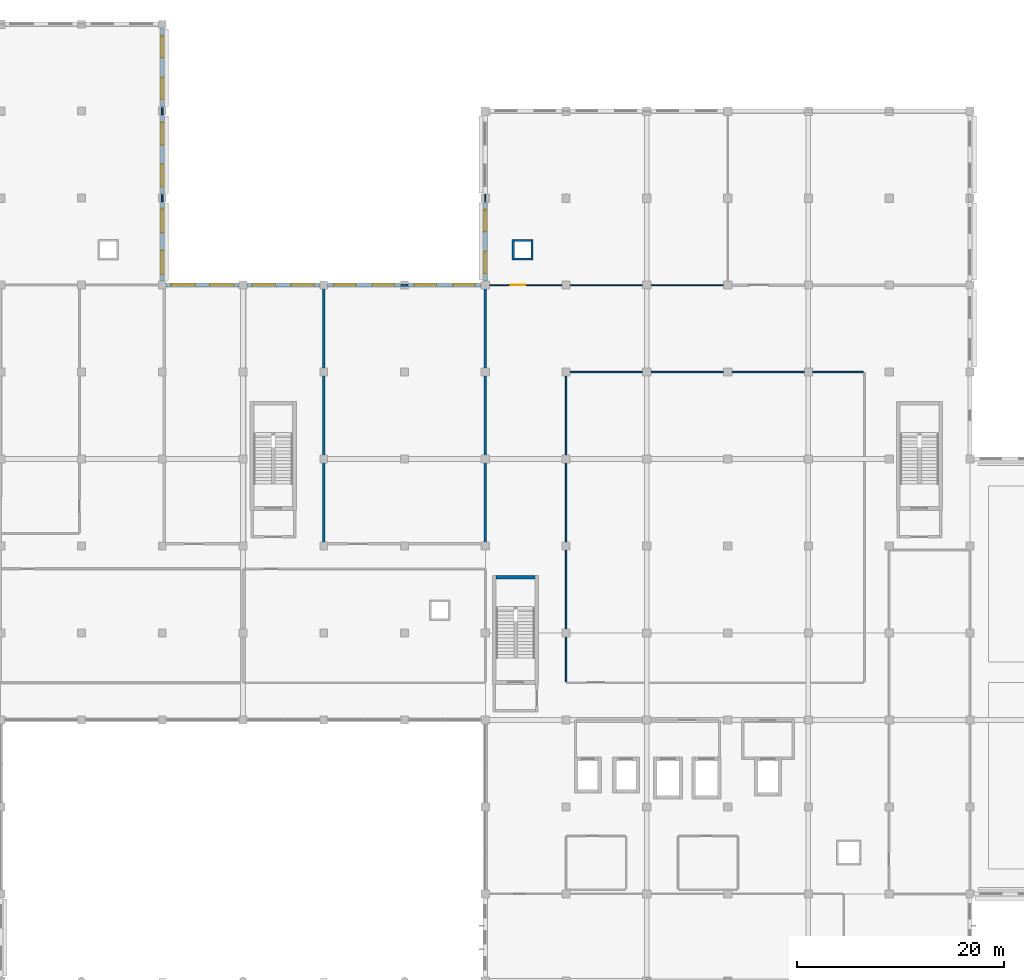
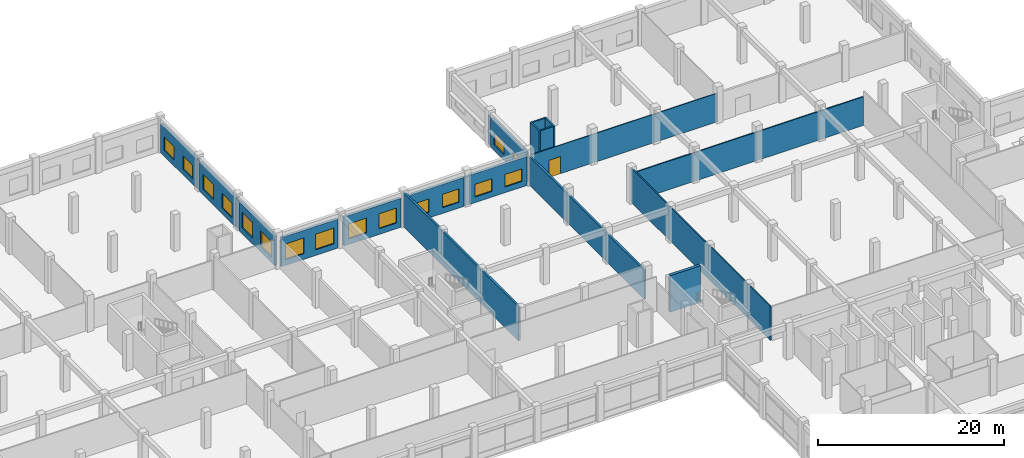
# One storey, part 47 of 62: 22 walls, 16 windows, 1 door, 17 openings.
"""IFC4 building model written with IfcOpenShell, lengths in metres."""

from ifc_helpers import new_model, si_unit, direction, frame, frame_2d, origin, place, context, subcontext, project, spatial, rectangle, extrude, material, layer, layer_set, type_object, element, fill, save


model = new_model("IFC4")

# Units and contexts
model_context = context("Model", 3, precision=1e-05, world=origin(), true_north=direction((0.0, 1.0)))
body_context = subcontext(model_context, "Body", "Model", "MODEL_VIEW")
ifc_project = project(units=[si_unit("LENGTHUNIT", "METRE"), si_unit("AREAUNIT", "SQUARE_METRE"), si_unit("VOLUMEUNIT", "CUBIC_METRE"), si_unit("PLANEANGLEUNIT", "RADIAN"), si_unit("MASSUNIT", "GRAM", prefix="KILO"), si_unit("THERMODYNAMICTEMPERATUREUNIT", "KELVIN"), si_unit("POWERUNIT", "WATT")], contexts=[model_context])

# Site, building, storey
site_placement = place(None, origin())
site = spatial("IfcSite", under=ifc_project, at=site_placement, CompositionType="ELEMENT")
building_placement = place(site_placement, origin())
building = spatial("IfcBuilding", under=site, at=building_placement, Name="Srebrne Nadtorze General Hospital", CompositionType="ELEMENT")
storey_placement = place(building_placement, frame((0.0, 0.0, 9.60009765625)))
storey = spatial("IfcBuildingStorey", under=building, at=storey_placement, Name="L02", CompositionType="ELEMENT", Elevation=9.60009765625)

# Walls
ifc_material_1 = material(Name="Gypsum Healthcare Partition")
ifc_layer_1 = layer(ifc_material_1, 0.139892578125)
ifc_layer_set_1 = layer_set([ifc_layer_1], Name="Gypsum Healthcare Partition")
wall_type_1 = type_object("IfcWallType", Name="Clinical partition 140", PredefinedType="PARTITIONING", material=ifc_layer_set_1)
wall_1_placement = place(storey_placement, frame((109.284912109375, 84.0, 0.0), z_axis=(0.0, 0.0, 1.0), x_axis=(1.0, 0.0, 0.0)))
element("IfcWall", 1, at=wall_1_placement, inside=storey, type_object=wall_type_1, Name="Haemodialysis and Renal Care Unit wall WL-INT-L02-1538", PredefinedType="PARTITIONING", context=body_context, shape_type="SweptSolid", body=[
    extrude(rectangle(XDim=28.630126953125, YDim=0.139892578125, at=frame_2d((14.31494140625, 0.0))), origin(), (0.0, 0.0, 1.0), 3.75),
])
wall_2_placement = place(storey_placement, frame((109.199951171875, 54.0849609375, 0.0), z_axis=(0.0, 0.0, 1.0), x_axis=(0.0, 1.0, 0.0)))
element("IfcWall", 2, at=wall_2_placement, inside=storey, type_object=wall_type_1, Name="Haemodialysis and Renal Care Unit wall WL-INT-L02-1539", PredefinedType="PARTITIONING", context=body_context, shape_type="SweptSolid", body=[
    extrude(rectangle(XDim=29.830078125, YDim=0.139892578125, at=frame_2d((14.9150390625, 0.0))), origin(), (0.0, 0.0, 1.0), 4.47998046875),
])
ifc_material_2 = material(Name="Gypsum Healthcare Partition")
ifc_layer_2 = layer(ifc_material_2, 0.159912109375)
ifc_layer_set_2 = layer_set([ifc_layer_2], Name="Gypsum Healthcare Partition")
wall_type_2 = type_object("IfcWallType", Name="Clinical partition 160", PredefinedType="PARTITIONING", material=ifc_layer_set_2)
for number, where, z_axis, x_axis, name in (
    (3, (70.199951171875, 100.465087890625, 0.0), (0.0, 0.0, 1.0), (0.0, 1.0, 0.0), "Coronary Intensive Care Unit wall WL-INT-L02-1507"),
    (4, (70.199951171875, 108.864990234375, 0.0), (0.0, 0.0, 1.0), (0.0, 1.0, 0.0), "Coronary Intensive Care Unit wall WL-INT-L02-1508"),
):
    element("IfcWall", number, at=place(storey_placement, frame(where, z_axis=z_axis, x_axis=x_axis)), inside=storey, type_object=wall_type_2, Name=name, PredefinedType="PARTITIONING", context=body_context, shape_type="SweptSolid", body=[
        extrude(rectangle(XDim=0.669921875, YDim=0.159912109375, at=frame_2d((0.3349609375, 0.0))), origin(), (0.0, 0.0, 1.0), 3.75),
    ])
ifc_material_3 = material(Name="Gypsum Healthcare Partition")
ifc_layer_3 = layer(ifc_material_3, 0.199951171875)
ifc_layer_set_3 = layer_set([ifc_layer_3], Name="Gypsum Healthcare Partition")
wall_type_3 = type_object("IfcWallType", Name="Compartment wall 200", PredefinedType="STANDARD", material=ifc_layer_set_3)
for number, where, z_axis, x_axis, name in (
    (5, (104.10009765625, 94.800048828125, 0.0), (0.0, 0.0, 1.0), (0.0, 1.0, 0.0), "MEP riser wall WL-INT-L02-1014"),
    (6, (105.89990234375, 94.800048828125, 0.0), (0.0, 0.0, 1.0), (0.0, 1.0, 0.0), "MEP riser wall WL-INT-L02-1015"),
):
    element("IfcWall", number, at=place(storey_placement, frame(where, z_axis=z_axis, x_axis=x_axis)), inside=storey, type_object=wall_type_3, Name=name, PredefinedType="STANDARD", context=body_context, shape_type="SweptSolid", body=[
        extrude(rectangle(XDim=2.0, YDim=0.199951171875, at=frame_2d((1.0, 0.0))), origin(), (0.0, 0.0, 1.0), 4.5),
    ])
for number, where, z_axis, x_axis, name in (
    (7, (104.199951171875, 94.89990234375, 0.0), (0.0, 0.0, 1.0), (1.0, 0.0, 0.0), "MEP riser wall WL-INT-L02-1016"),
    (8, (104.199951171875, 96.699951171875, 0.0), (0.0, 0.0, 1.0), (1.0, 0.0, 0.0), "MEP riser wall WL-INT-L02-1017"),
):
    element("IfcWall", number, at=place(storey_placement, frame(where, z_axis=z_axis, x_axis=x_axis)), inside=storey, type_object=wall_type_3, Name=name, PredefinedType="STANDARD", context=body_context, shape_type="SweptSolid", body=[
        extrude(rectangle(XDim=1.60009765625, YDim=0.199951171875, at=frame_2d((0.800048828125, 0.0))), origin(), (0.0, 0.0, 1.0), 4.5),
    ])
ifc_material_4 = material(Name="Gypsum Healthcare Partition")
ifc_layer_4 = layer(ifc_material_4, 0.239990234375)
ifc_layer_set_4 = layer_set([ifc_layer_4], Name="Gypsum Healthcare Partition")
wall_type_4 = type_object("IfcWallType", Name="Corridor fire wall 240", PredefinedType="STANDARD", material=ifc_layer_set_4)
wall_3_placement = place(storey_placement, frame((93.264892578125, 92.39990234375, 0.0), z_axis=(0.0, 0.0, 1.0), x_axis=(1.0, 0.0, 0.0)))
element("IfcWall", 9, at=wall_3_placement, inside=storey, type_object=wall_type_4, Name="Ophthalmic Operating Theatre wall WL-INT-L02-1534", PredefinedType="STANDARD", context=body_context, shape_type="SweptSolid", body=[
    extrude(rectangle(XDim=0.670166015625, YDim=0.239990234375, at=frame_2d((0.3349609375, 0.0))), origin(), (0.0, 0.0, 1.0), 3.75),
])
wall_4_placement = place(storey_placement, frame((85.800048828125, 67.510009765625, 0.0), z_axis=(0.0, 0.0, 1.0), x_axis=(0.0, 1.0, 0.0)))
element("IfcWall", 10, at=wall_4_placement, inside=storey, type_object=wall_type_4, Name="Ophthalmic Operating Theatre wall WL-INT-L02-1535", PredefinedType="STANDARD", context=body_context, shape_type="SweptSolid", body=[
    extrude(rectangle(XDim=24.780029296875, YDim=0.239990234375, at=frame_2d((12.39013671875, 0.0))), origin(), (0.0, 0.0, 1.0), 4.47998046875),
])
wall_5_placement = place(storey_placement, frame((101.39990234375, 67.510009765625, 0.0), z_axis=(0.0, 0.0, 1.0), x_axis=(0.0, 1.0, 0.0)))
element("IfcWall", 11, at=wall_5_placement, inside=storey, type_object=wall_type_4, Name="Ophthalmic Operating Theatre wall WL-INT-L02-1536", PredefinedType="STANDARD", context=body_context, shape_type="SweptSolid", body=[
    extrude(rectangle(XDim=24.780029296875, YDim=0.239990234375, at=frame_2d((12.39013671875, 0.0))), origin(), (0.0, 0.0, 1.0), 3.75),
])

# Wall, opening, door
ifc_material_5 = material(Name="Gypsum Healthcare Partition")
ifc_layer_5 = layer(ifc_material_5, 0.10009765625)
ifc_layer_set_5 = layer_set([ifc_layer_5], Name="Gypsum Healthcare Partition")
wall_type_5 = type_object("IfcWallType", Name="Shaft lining wall 100", PredefinedType="PARTITIONING", material=ifc_layer_set_5)
wall_6_placement = place(storey_placement, frame((101.485107421875, 92.39990234375, 0.0), z_axis=(0.0, 0.0, 1.0), x_axis=(1.0, 0.0, 0.0)))
wall_6 = element("IfcWall", 12, at=wall_6_placement, inside=storey, type_object=wall_type_5, Name="Critical Care Pharmacy and Blood Gas Lab wall WL-INT-L02-1541", PredefinedType="PARTITIONING", context=body_context, shape_type="SweptSolid", body=[
    extrude(rectangle(XDim=23.22998046875, YDim=0.10009765625, at=frame_2d((11.614990234375, 0.0))), origin(), (0.0, 0.0, 1.0), 3.75),
])
opening_1_placement = place(wall_6_placement, frame((2.347900390625, 0.0, 0.0)))
opening_1 = element("IfcOpeningElement", 13, at=opening_1_placement, cuts=wall_6, Name="Opening D-L02-0249", PredefinedType="OPENING", context=body_context, shape_type="SweptSolid", body=[
    extrude(rectangle(XDim=1.39990234375, YDim=2.25, at=frame_2d((0.699951171875, 1.125))), frame((0.0, 0.06201171875, 0.0), z_axis=(0.0, -1.0, 0.0), x_axis=(1.0, 0.0, 0.0)), (0.0, 0.0, 1.0), 0.1240234375),
])
ifc_material_6 = material(Name="Anodised Aluminium", Category="aluminium")
door_type = type_object("IfcDoorType", Name="Single leaf door 1400x2250", OperationType="NOTDEFINED", PredefinedType="DOOR", material=ifc_material_6)
door_placement = place(opening_1_placement, origin())
door = element("IfcDoor", 14, at=door_placement, inside=storey, type_object=door_type, Name="Critical Care Pharmacy and Blood Gas Lab door D-L02-0249", OperationType="SINGLE_SWING_LEFT", OverallHeight=2.25, OverallWidth=1.39990234375, PredefinedType="DOOR", context=body_context, shape_type="SweptSolid", body=[
    extrude(rectangle(XDim=1.39990234375, YDim=2.25, at=frame_2d((0.699951171875, 1.125))), frame((0.0, 0.02490234375, 0.0), z_axis=(0.0, -1.0, 0.0), x_axis=(1.0, 0.0, 0.0)), (0.0, 0.0, 1.0), 0.050048828125),
])
fill(opening_1, door)

# Walls
wall_7_placement = place(storey_placement, frame((101.39990234375, 100.43994140625, 0.0), z_axis=(0.0, 0.0, 1.0), x_axis=(0.0, 1.0, 0.0)))
element("IfcWall", 15, at=wall_7_placement, inside=storey, type_object=wall_type_5, Name="Critical Care Pharmacy and Blood Gas Lab wall WL-INT-L02-1544", PredefinedType="PARTITIONING", context=body_context, shape_type="SweptSolid", body=[
    extrude(rectangle(XDim=0.719970703125, YDim=0.10009765625, at=frame_2d((0.35986328125, 0.0))), origin(), (0.0, 0.0, 1.0), 3.75),
])
ifc_material_7 = material(Name="Concrete C40/50", Category="concrete")
ifc_layer_6 = layer(ifc_material_7, 0.35009765625)
ifc_layer_set_6 = layer_set([ifc_layer_6], Name="Concrete C40/50")
wall_type_6 = type_object("IfcWallType", Name="Shear core wall 350", PredefinedType="SHEAR", material=ifc_layer_set_6)
wall_8_placement = place(storey_placement, frame((102.449951171875, 64.175048828125, 0.0), z_axis=(0.0, 0.0, 1.0), x_axis=(1.0, 0.0, 0.0)))
element("IfcWall", 16, at=wall_8_placement, inside=storey, type_object=wall_type_6, Name="Stair core wall ST-03 WL-INT-L02-0211", PredefinedType="SHEAR", context=body_context, shape_type="SweptSolid", body=[
    extrude(rectangle(XDim=3.75, YDim=0.35009765625, at=frame_2d((1.875, 0.0))), origin(), (0.0, 0.0, 1.0), 4.7998046875),
])

# Wall, openings, windows
ifc_material_8 = material(Name="Concrete C35/45", Category="concrete")
ifc_layer_7 = layer(ifc_material_8, 0.320068359375)
ifc_layer_set_7 = layer_set([ifc_layer_7], Name="Concrete C35/45")
wall_type_7 = type_object("IfcWallType", Name="Spandrel wall 320", PredefinedType="STANDARD", material=ifc_layer_set_7)
wall_9_placement = place(storey_placement, frame((70.574951171875, 92.39990234375, 0.0), z_axis=(0.0, 0.0, 1.0), x_axis=(1.0, 0.0, 0.0)))
wall_9 = element("IfcWall", 17, at=wall_9_placement, inside=storey, type_object=wall_type_7, Name="Exterior wall WL-ENV-L02-0226", PredefinedType="STANDARD", context=body_context, shape_type="SweptSolid", body=[
    extrude(rectangle(XDim=7.050048828125, YDim=0.320068359375, at=frame_2d((3.52490234375, 0.0))), origin(), (0.0, 0.0, 1.0), 3.7998046875),
])
opening_2_placement = place(wall_9_placement, frame((0.5029296875, 0.0, 0.75)))
opening_2 = element("IfcOpeningElement", 18, at=opening_2_placement, cuts=wall_9, Name="Opening WN-L02-0276", PredefinedType="OPENING", context=body_context, shape_type="SweptSolid", body=[
    extrude(rectangle(XDim=2.300048828125, YDim=2.050048828125, at=frame_2d((1.14990234375, 1.02490234375))), frame((0.0, 0.171875, 0.0), z_axis=(0.0, -1.0, 0.0), x_axis=(1.0, 0.0, 0.0)), (0.0, 0.0, 1.0), 0.343994140625),
])
opening_3_placement = place(wall_9_placement, frame((4.2470703125, 0.0, 0.75)))
opening_3 = element("IfcOpeningElement", 19, at=opening_3_placement, cuts=wall_9, Name="Opening WN-L02-0277", PredefinedType="OPENING", context=body_context, shape_type="SweptSolid", body=[
    extrude(rectangle(XDim=2.300048828125, YDim=2.050048828125, at=frame_2d((1.14990234375, 1.02490234375))), frame((0.0, 0.171875, 0.0), z_axis=(0.0, -1.0, 0.0), x_axis=(1.0, 0.0, 0.0)), (0.0, 0.0, 1.0), 0.343994140625),
])
ifc_material_9 = material(Name="Triple Low-E Glazing", Category="glass")
window_type_1 = type_object("IfcWindowType", Name="Punched clinical window 2300x2050", PartitioningType="DOUBLE_PANEL_VERTICAL", PredefinedType="WINDOW", material=ifc_material_9)
window_1_placement = place(opening_2_placement, origin())
window_1 = element("IfcWindow", 20, at=window_1_placement, inside=storey, type_object=window_type_1, Name="Clinical window WN-L02-0276", OverallHeight=2.050048828125, OverallWidth=2.300048828125, PartitioningType="DOUBLE_PANEL_VERTICAL", PredefinedType="WINDOW", context=body_context, shape_type="SweptSolid", body=[
    extrude(rectangle(XDim=2.300048828125, YDim=2.050048828125, at=frame_2d((1.14990234375, 1.02490234375))), frame((0.0, 0.030029296875, 0.0), z_axis=(0.0, -1.0, 0.0), x_axis=(1.0, 0.0, 0.0)), (0.0, 0.0, 1.0), 0.06005859375),
])
fill(opening_2, window_1)
window_2_placement = place(opening_3_placement, origin())
window_2 = element("IfcWindow", 21, at=window_2_placement, inside=storey, type_object=window_type_1, Name="Clinical window WN-L02-0277", OverallHeight=2.050048828125, OverallWidth=2.300048828125, PartitioningType="DOUBLE_PANEL_VERTICAL", PredefinedType="WINDOW", context=body_context, shape_type="SweptSolid", body=[
    extrude(rectangle(XDim=2.300048828125, YDim=2.050048828125, at=frame_2d((1.14990234375, 1.02490234375))), frame((0.0, 0.030029296875, 0.0), z_axis=(0.0, -1.0, 0.0), x_axis=(1.0, 0.0, 0.0)), (0.0, 0.0, 1.0), 0.06005859375),
])
fill(opening_3, window_2)

wall_10_placement = place(storey_placement, frame((78.375, 92.39990234375, 0.0), z_axis=(0.0, 0.0, 1.0), x_axis=(1.0, 0.0, 0.0)))
wall_10 = element("IfcWall", 22, at=wall_10_placement, inside=storey, type_object=wall_type_7, Name="Exterior wall WL-ENV-L02-0227", PredefinedType="STANDARD", context=body_context, shape_type="SweptSolid", body=[
    extrude(rectangle(XDim=7.050048828125, YDim=0.320068359375, at=frame_2d((3.52490234375, 0.0))), origin(), (0.0, 0.0, 1.0), 3.7998046875),
])
opening_4_placement = place(wall_10_placement, frame((0.552978515625, 0.0, 0.75)))
opening_4 = element("IfcOpeningElement", 23, at=opening_4_placement, cuts=wall_10, Name="Opening WN-L02-0278", PredefinedType="OPENING", context=body_context, shape_type="SweptSolid", body=[
    extrude(rectangle(XDim=2.199951171875, YDim=1.949951171875, at=frame_2d((1.10009765625, 0.97509765625))), frame((0.0, 0.171875, 0.0), z_axis=(0.0, -1.0, 0.0), x_axis=(1.0, 0.0, 0.0)), (0.0, 0.0, 1.0), 0.343994140625),
])
opening_5_placement = place(wall_10_placement, frame((4.297119140625, 0.0, 0.75)))
opening_5 = element("IfcOpeningElement", 24, at=opening_5_placement, cuts=wall_10, Name="Opening WN-L02-0279", PredefinedType="OPENING", context=body_context, shape_type="SweptSolid", body=[
    extrude(rectangle(XDim=2.199951171875, YDim=1.949951171875, at=frame_2d((1.10009765625, 0.97509765625))), frame((0.0, 0.171875, 0.0), z_axis=(0.0, -1.0, 0.0), x_axis=(1.0, 0.0, 0.0)), (0.0, 0.0, 1.0), 0.343994140625),
])
ifc_material_10 = material(Name="Triple Low-E Glazing", Category="glass")
window_type_2 = type_object("IfcWindowType", Name="Punched clinical window 2200x1950", PartitioningType="DOUBLE_PANEL_VERTICAL", PredefinedType="WINDOW", material=ifc_material_10)
window_3_placement = place(opening_4_placement, origin())
window_3 = element("IfcWindow", 25, at=window_3_placement, inside=storey, type_object=window_type_2, Name="Clinical window WN-L02-0278", OverallHeight=1.949951171875, OverallWidth=2.199951171875, PartitioningType="DOUBLE_PANEL_VERTICAL", PredefinedType="WINDOW", context=body_context, shape_type="SweptSolid", body=[
    extrude(rectangle(XDim=2.199951171875, YDim=1.949951171875, at=frame_2d((1.10009765625, 0.97509765625))), frame((0.0, 0.030029296875, 0.0), z_axis=(0.0, -1.0, 0.0), x_axis=(1.0, 0.0, 0.0)), (0.0, 0.0, 1.0), 0.06005859375),
])
fill(opening_4, window_3)
window_4_placement = place(opening_5_placement, origin())
window_4 = element("IfcWindow", 26, at=window_4_placement, inside=storey, type_object=window_type_2, Name="Clinical window WN-L02-0279", OverallHeight=1.949951171875, OverallWidth=2.199951171875, PartitioningType="DOUBLE_PANEL_VERTICAL", PredefinedType="WINDOW", context=body_context, shape_type="SweptSolid", body=[
    extrude(rectangle(XDim=2.199951171875, YDim=1.949951171875, at=frame_2d((1.10009765625, 0.97509765625))), frame((0.0, 0.030029296875, 0.0), z_axis=(0.0, -1.0, 0.0), x_axis=(1.0, 0.0, 0.0)), (0.0, 0.0, 1.0), 0.06005859375),
])
fill(opening_5, window_4)

wall_11_placement = place(storey_placement, frame((86.175048828125, 92.39990234375, 0.0), z_axis=(0.0, 0.0, 1.0), x_axis=(1.0, 0.0, 0.0)))
wall_11 = element("IfcWall", 27, at=wall_11_placement, inside=storey, type_object=wall_type_7, Name="Exterior wall WL-ENV-L02-0228", PredefinedType="STANDARD", context=body_context, shape_type="SweptSolid", body=[
    extrude(rectangle(XDim=7.050048828125, YDim=0.320068359375, at=frame_2d((3.52490234375, 0.0))), origin(), (0.0, 0.0, 1.0), 3.7998046875),
])
opening_6_placement = place(wall_11_placement, frame((0.60302734375, 0.0, 0.75)))
opening_6 = element("IfcOpeningElement", 28, at=opening_6_placement, cuts=wall_11, Name="Opening WN-L02-0280", PredefinedType="OPENING", context=body_context, shape_type="SweptSolid", body=[
    extrude(rectangle(XDim=2.10009765625, YDim=1.75, at=frame_2d((1.050048828125, 0.875))), frame((0.0, 0.171875, 0.0), z_axis=(0.0, -1.0, 0.0), x_axis=(1.0, 0.0, 0.0)), (0.0, 0.0, 1.0), 0.343994140625),
])
opening_7_placement = place(wall_11_placement, frame((4.346923828125, 0.0, 0.75)))
opening_7 = element("IfcOpeningElement", 29, at=opening_7_placement, cuts=wall_11, Name="Opening WN-L02-0281", PredefinedType="OPENING", context=body_context, shape_type="SweptSolid", body=[
    extrude(rectangle(XDim=2.10009765625, YDim=1.75, at=frame_2d((1.050048828125, 0.875))), frame((0.0, 0.171875, 0.0), z_axis=(0.0, -1.0, 0.0), x_axis=(1.0, 0.0, 0.0)), (0.0, 0.0, 1.0), 0.343994140625),
])
ifc_material_11 = material(Name="Triple Low-E Glazing", Category="glass")
window_type_3 = type_object("IfcWindowType", Name="Punched clinical window 2100x1750", PartitioningType="DOUBLE_PANEL_VERTICAL", PredefinedType="WINDOW", material=ifc_material_11)
window_5_placement = place(opening_6_placement, origin())
window_5 = element("IfcWindow", 30, at=window_5_placement, inside=storey, type_object=window_type_3, Name="Clinical window WN-L02-0280", OverallHeight=1.75, OverallWidth=2.10009765625, PartitioningType="DOUBLE_PANEL_VERTICAL", PredefinedType="WINDOW", context=body_context, shape_type="SweptSolid", body=[
    extrude(rectangle(XDim=2.10009765625, YDim=1.75, at=frame_2d((1.050048828125, 0.875))), frame((0.0, 0.030029296875, 0.0), z_axis=(0.0, -1.0, 0.0), x_axis=(1.0, 0.0, 0.0)), (0.0, 0.0, 1.0), 0.06005859375),
])
fill(opening_6, window_5)
window_6_placement = place(opening_7_placement, origin())
window_6 = element("IfcWindow", 31, at=window_6_placement, inside=storey, type_object=window_type_3, Name="Clinical window WN-L02-0281", OverallHeight=1.75, OverallWidth=2.10009765625, PartitioningType="DOUBLE_PANEL_VERTICAL", PredefinedType="WINDOW", context=body_context, shape_type="SweptSolid", body=[
    extrude(rectangle(XDim=2.10009765625, YDim=1.75, at=frame_2d((1.050048828125, 0.875))), frame((0.0, 0.030029296875, 0.0), z_axis=(0.0, -1.0, 0.0), x_axis=(1.0, 0.0, 0.0)), (0.0, 0.0, 1.0), 0.06005859375),
])
fill(opening_7, window_6)

wall_12_placement = place(storey_placement, frame((93.97509765625, 92.39990234375, 0.0), z_axis=(0.0, 0.0, 1.0), x_axis=(1.0, 0.0, 0.0)))
wall_12 = element("IfcWall", 32, at=wall_12_placement, inside=storey, type_object=wall_type_7, Name="Exterior wall WL-ENV-L02-0229", PredefinedType="STANDARD", context=body_context, shape_type="SweptSolid", body=[
    extrude(rectangle(XDim=7.02490234375, YDim=0.320068359375, at=frame_2d((3.512451171875, 0.0))), origin(), (0.0, 0.0, 1.0), 3.7998046875),
])
opening_8_placement = place(wall_12_placement, frame((0.60302734375, 0.0, 0.75)))
opening_8 = element("IfcOpeningElement", 33, at=opening_8_placement, cuts=wall_12, Name="Opening WN-L02-0282", PredefinedType="OPENING", context=body_context, shape_type="SweptSolid", body=[
    extrude(rectangle(XDim=2.10009765625, YDim=1.64990234375, at=frame_2d((1.050048828125, 0.824951171875))), frame((0.0, 0.171875, 0.0), z_axis=(0.0, -1.0, 0.0), x_axis=(1.0, 0.0, 0.0)), (0.0, 0.0, 1.0), 0.343994140625),
])
opening_9_placement = place(wall_12_placement, frame((4.346923828125, 0.0, 0.75)))
opening_9 = element("IfcOpeningElement", 34, at=opening_9_placement, cuts=wall_12, Name="Opening WN-L02-0283", PredefinedType="OPENING", context=body_context, shape_type="SweptSolid", body=[
    extrude(rectangle(XDim=2.10009765625, YDim=1.64990234375, at=frame_2d((1.050048828125, 0.824951171875))), frame((0.0, 0.171875, 0.0), z_axis=(0.0, -1.0, 0.0), x_axis=(1.0, 0.0, 0.0)), (0.0, 0.0, 1.0), 0.343994140625),
])
ifc_material_12 = material(Name="Triple Low-E Glazing", Category="glass")
window_type_4 = type_object("IfcWindowType", Name="Punched clinical window 2100x1650", PartitioningType="DOUBLE_PANEL_VERTICAL", PredefinedType="WINDOW", material=ifc_material_12)
window_7_placement = place(opening_8_placement, origin())
window_7 = element("IfcWindow", 35, at=window_7_placement, inside=storey, type_object=window_type_4, Name="Clinical window WN-L02-0282", OverallHeight=1.64990234375, OverallWidth=2.10009765625, PartitioningType="DOUBLE_PANEL_VERTICAL", PredefinedType="WINDOW", context=body_context, shape_type="SweptSolid", body=[
    extrude(rectangle(XDim=2.10009765625, YDim=1.64990234375, at=frame_2d((1.050048828125, 0.824951171875))), frame((0.0, 0.030029296875, 0.0), z_axis=(0.0, -1.0, 0.0), x_axis=(1.0, 0.0, 0.0)), (0.0, 0.0, 1.0), 0.06005859375),
])
fill(opening_8, window_7)
window_8_placement = place(opening_9_placement, origin())
window_8 = element("IfcWindow", 36, at=window_8_placement, inside=storey, type_object=window_type_4, Name="Clinical window WN-L02-0283", OverallHeight=1.64990234375, OverallWidth=2.10009765625, PartitioningType="DOUBLE_PANEL_VERTICAL", PredefinedType="WINDOW", context=body_context, shape_type="SweptSolid", body=[
    extrude(rectangle(XDim=2.10009765625, YDim=1.64990234375, at=frame_2d((1.050048828125, 0.824951171875))), frame((0.0, 0.030029296875, 0.0), z_axis=(0.0, -1.0, 0.0), x_axis=(1.0, 0.0, 0.0)), (0.0, 0.0, 1.0), 0.06005859375),
])
fill(opening_9, window_8)

wall_13_placement = place(storey_placement, frame((70.199951171875, 92.77490234375, 0.0), z_axis=(0.0, 0.0, 1.0), x_axis=(0.0, 1.0, 0.0)))
wall_13 = element("IfcWall", 37, at=wall_13_placement, inside=storey, type_object=wall_type_7, Name="Exterior wall WL-ENV-L02-0260", PredefinedType="STANDARD", context=body_context, shape_type="SweptSolid", body=[
    extrude(rectangle(XDim=7.650146484375, YDim=0.320068359375, at=frame_2d((3.8251953125, 0.0))), origin(), (0.0, 0.0, 1.0), 3.7998046875),
])
opening_10_placement = place(wall_13_placement, frame((0.658935546875, 0.0, 0.75)))
opening_10 = element("IfcOpeningElement", 38, at=opening_10_placement, cuts=wall_13, Name="Opening WN-L02-0334", PredefinedType="OPENING", context=body_context, shape_type="SweptSolid", body=[
    extrude(rectangle(XDim=2.300048828125, YDim=2.050048828125, at=frame_2d((1.14990234375, 1.02490234375))), frame((0.0, 0.171875, 0.0), z_axis=(0.0, -1.0, 0.0), x_axis=(1.0, 0.0, 0.0)), (0.0, 0.0, 1.0), 0.343994140625),
])
opening_11_placement = place(wall_13_placement, frame((4.69091796875, 0.0, 0.75)))
opening_11 = element("IfcOpeningElement", 39, at=opening_11_placement, cuts=wall_13, Name="Opening WN-L02-0335", PredefinedType="OPENING", context=body_context, shape_type="SweptSolid", body=[
    extrude(rectangle(XDim=2.300048828125, YDim=2.050048828125, at=frame_2d((1.14990234375, 1.02490234375))), frame((0.0, 0.171875, 0.0), z_axis=(0.0, -1.0, 0.0), x_axis=(1.0, 0.0, 0.0)), (0.0, 0.0, 1.0), 0.343994140625),
])
window_9_placement = place(opening_10_placement, origin())
window_9 = element("IfcWindow", 40, at=window_9_placement, inside=storey, type_object=window_type_1, Name="Clinical window WN-L02-0334", OverallHeight=2.050048828125, OverallWidth=2.300048828125, PartitioningType="DOUBLE_PANEL_VERTICAL", PredefinedType="WINDOW", context=body_context, shape_type="SweptSolid", body=[
    extrude(rectangle(XDim=2.300048828125, YDim=2.050048828125, at=frame_2d((1.14990234375, 1.02490234375))), frame((0.0, 0.030029296875, 0.0), z_axis=(0.0, -1.0, 0.0), x_axis=(1.0, 0.0, 0.0)), (0.0, 0.0, 1.0), 0.06005859375),
])
fill(opening_10, window_9)
window_10_placement = place(opening_11_placement, origin())
window_10 = element("IfcWindow", 41, at=window_10_placement, inside=storey, type_object=window_type_1, Name="Clinical window WN-L02-0335", OverallHeight=2.050048828125, OverallWidth=2.300048828125, PartitioningType="DOUBLE_PANEL_VERTICAL", PredefinedType="WINDOW", context=body_context, shape_type="SweptSolid", body=[
    extrude(rectangle(XDim=2.300048828125, YDim=2.050048828125, at=frame_2d((1.14990234375, 1.02490234375))), frame((0.0, 0.030029296875, 0.0), z_axis=(0.0, -1.0, 0.0), x_axis=(1.0, 0.0, 0.0)), (0.0, 0.0, 1.0), 0.06005859375),
])
fill(opening_11, window_10)

wall_14_placement = place(storey_placement, frame((70.199951171875, 101.175048828125, 0.0), z_axis=(0.0, 0.0, 1.0), x_axis=(0.0, 1.0, 0.0)))
wall_14 = element("IfcWall", 42, at=wall_14_placement, inside=storey, type_object=wall_type_7, Name="Exterior wall WL-ENV-L02-0261", PredefinedType="STANDARD", context=body_context, shape_type="SweptSolid", body=[
    extrude(rectangle(XDim=7.64990234375, YDim=0.320068359375, at=frame_2d((3.824951171875, 0.0))), origin(), (0.0, 0.0, 1.0), 3.7998046875),
])
opening_12_placement = place(wall_14_placement, frame((0.708984375, 0.0, 0.75)))
opening_12 = element("IfcOpeningElement", 43, at=opening_12_placement, cuts=wall_14, Name="Opening WN-L02-0336", PredefinedType="OPENING", context=body_context, shape_type="SweptSolid", body=[
    extrude(rectangle(XDim=2.199951171875, YDim=1.949951171875, at=frame_2d((1.10009765625, 0.97509765625))), frame((0.0, 0.171875, 0.0), z_axis=(0.0, -1.0, 0.0), x_axis=(1.0, 0.0, 0.0)), (0.0, 0.0, 1.0), 0.343994140625),
])
opening_13_placement = place(wall_14_placement, frame((4.740966796875, 0.0, 0.75)))
opening_13 = element("IfcOpeningElement", 44, at=opening_13_placement, cuts=wall_14, Name="Opening WN-L02-0337", PredefinedType="OPENING", context=body_context, shape_type="SweptSolid", body=[
    extrude(rectangle(XDim=2.199951171875, YDim=1.949951171875, at=frame_2d((1.10009765625, 0.97509765625))), frame((0.0, 0.171875, 0.0), z_axis=(0.0, -1.0, 0.0), x_axis=(1.0, 0.0, 0.0)), (0.0, 0.0, 1.0), 0.343994140625),
])
window_11_placement = place(opening_12_placement, origin())
window_11 = element("IfcWindow", 45, at=window_11_placement, inside=storey, type_object=window_type_2, Name="Clinical window WN-L02-0336", OverallHeight=1.949951171875, OverallWidth=2.199951171875, PartitioningType="DOUBLE_PANEL_VERTICAL", PredefinedType="WINDOW", context=body_context, shape_type="SweptSolid", body=[
    extrude(rectangle(XDim=2.199951171875, YDim=1.949951171875, at=frame_2d((1.10009765625, 0.97509765625))), frame((0.0, 0.030029296875, 0.0), z_axis=(0.0, -1.0, 0.0), x_axis=(1.0, 0.0, 0.0)), (0.0, 0.0, 1.0), 0.06005859375),
])
fill(opening_12, window_11)
window_12_placement = place(opening_13_placement, origin())
window_12 = element("IfcWindow", 46, at=window_12_placement, inside=storey, type_object=window_type_2, Name="Clinical window WN-L02-0337", OverallHeight=1.949951171875, OverallWidth=2.199951171875, PartitioningType="DOUBLE_PANEL_VERTICAL", PredefinedType="WINDOW", context=body_context, shape_type="SweptSolid", body=[
    extrude(rectangle(XDim=2.199951171875, YDim=1.949951171875, at=frame_2d((1.10009765625, 0.97509765625))), frame((0.0, 0.030029296875, 0.0), z_axis=(0.0, -1.0, 0.0), x_axis=(1.0, 0.0, 0.0)), (0.0, 0.0, 1.0), 0.06005859375),
])
fill(opening_13, window_12)

wall_15_placement = place(storey_placement, frame((70.199951171875, 109.574951171875, 0.0), z_axis=(0.0, 0.0, 1.0), x_axis=(0.0, 1.0, 0.0)))
wall_15 = element("IfcWall", 47, at=wall_15_placement, inside=storey, type_object=wall_type_7, Name="Exterior wall WL-ENV-L02-0262", PredefinedType="STANDARD", context=body_context, shape_type="SweptSolid", body=[
    extrude(rectangle(XDim=7.650146484375, YDim=0.320068359375, at=frame_2d((3.8251953125, 0.0))), origin(), (0.0, 0.0, 1.0), 3.7998046875),
])
opening_14_placement = place(wall_15_placement, frame((0.759033203125, 0.0, 0.75)))
opening_14 = element("IfcOpeningElement", 48, at=opening_14_placement, cuts=wall_15, Name="Opening WN-L02-0338", PredefinedType="OPENING", context=body_context, shape_type="SweptSolid", body=[
    extrude(rectangle(XDim=2.10009765625, YDim=1.75, at=frame_2d((1.050048828125, 0.875))), frame((0.0, 0.171875, 0.0), z_axis=(0.0, -1.0, 0.0), x_axis=(1.0, 0.0, 0.0)), (0.0, 0.0, 1.0), 0.343994140625),
])
opening_15_placement = place(wall_15_placement, frame((4.791015625, 0.0, 0.75)))
opening_15 = element("IfcOpeningElement", 49, at=opening_15_placement, cuts=wall_15, Name="Opening WN-L02-0339", PredefinedType="OPENING", context=body_context, shape_type="SweptSolid", body=[
    extrude(rectangle(XDim=2.10009765625, YDim=1.75, at=frame_2d((1.050048828125, 0.875))), frame((0.0, 0.171875, 0.0), z_axis=(0.0, -1.0, 0.0), x_axis=(1.0, 0.0, 0.0)), (0.0, 0.0, 1.0), 0.343994140625),
])
window_13_placement = place(opening_14_placement, origin())
window_13 = element("IfcWindow", 50, at=window_13_placement, inside=storey, type_object=window_type_3, Name="Clinical window WN-L02-0338", OverallHeight=1.75, OverallWidth=2.10009765625, PartitioningType="DOUBLE_PANEL_VERTICAL", PredefinedType="WINDOW", context=body_context, shape_type="SweptSolid", body=[
    extrude(rectangle(XDim=2.10009765625, YDim=1.75, at=frame_2d((1.050048828125, 0.875))), frame((0.0, 0.030029296875, 0.0), z_axis=(0.0, -1.0, 0.0), x_axis=(1.0, 0.0, 0.0)), (0.0, 0.0, 1.0), 0.06005859375),
])
fill(opening_14, window_13)
window_14_placement = place(opening_15_placement, origin())
window_14 = element("IfcWindow", 51, at=window_14_placement, inside=storey, type_object=window_type_3, Name="Clinical window WN-L02-0339", OverallHeight=1.75, OverallWidth=2.10009765625, PartitioningType="DOUBLE_PANEL_VERTICAL", PredefinedType="WINDOW", context=body_context, shape_type="SweptSolid", body=[
    extrude(rectangle(XDim=2.10009765625, YDim=1.75, at=frame_2d((1.050048828125, 0.875))), frame((0.0, 0.030029296875, 0.0), z_axis=(0.0, -1.0, 0.0), x_axis=(1.0, 0.0, 0.0)), (0.0, 0.0, 1.0), 0.06005859375),
])
fill(opening_15, window_14)

wall_16_placement = place(storey_placement, frame((101.39990234375, 92.800048828125, 0.0), z_axis=(0.0, 0.0, 1.0), x_axis=(0.0, 1.0, 0.0)))
wall_16 = element("IfcWall", 52, at=wall_16_placement, inside=storey, type_object=wall_type_7, Name="Exterior wall WL-ENV-L02-0267", PredefinedType="STANDARD", context=body_context, shape_type="SweptSolid", body=[
    extrude(rectangle(XDim=7.599853515625, YDim=0.320068359375, at=frame_2d((3.7998046875, 0.0))), origin(), (0.0, 0.0, 1.0), 3.7998046875),
])
opening_16_placement = place(wall_16_placement, frame((0.73388671875, 0.0, 0.75)))
opening_16 = element("IfcOpeningElement", 53, at=opening_16_placement, cuts=wall_16, Name="Opening WN-L02-0352", PredefinedType="OPENING", context=body_context, shape_type="SweptSolid", body=[
    extrude(rectangle(XDim=2.10009765625, YDim=1.550048828125, at=frame_2d((1.050048828125, 0.77490234375))), frame((0.0, 0.171875, 0.0), z_axis=(0.0, -1.0, 0.0), x_axis=(1.0, 0.0, 0.0)), (0.0, 0.0, 1.0), 0.343994140625),
])
opening_17_placement = place(wall_16_placement, frame((4.76611328125, 0.0, 0.75)))
opening_17 = element("IfcOpeningElement", 54, at=opening_17_placement, cuts=wall_16, Name="Opening WN-L02-0353", PredefinedType="OPENING", context=body_context, shape_type="SweptSolid", body=[
    extrude(rectangle(XDim=2.10009765625, YDim=1.550048828125, at=frame_2d((1.050048828125, 0.77490234375))), frame((0.0, 0.171875, 0.0), z_axis=(0.0, -1.0, 0.0), x_axis=(1.0, 0.0, 0.0)), (0.0, 0.0, 1.0), 0.343994140625),
])
ifc_material_13 = material(Name="Triple Low-E Glazing", Category="glass")
window_type_5 = type_object("IfcWindowType", Name="Punched clinical window 2100x1550", PartitioningType="DOUBLE_PANEL_VERTICAL", PredefinedType="WINDOW", material=ifc_material_13)
window_15_placement = place(opening_16_placement, origin())
window_15 = element("IfcWindow", 55, at=window_15_placement, inside=storey, type_object=window_type_5, Name="Clinical window WN-L02-0352", OverallHeight=1.550048828125, OverallWidth=2.10009765625, PartitioningType="DOUBLE_PANEL_VERTICAL", PredefinedType="WINDOW", context=body_context, shape_type="SweptSolid", body=[
    extrude(rectangle(XDim=2.10009765625, YDim=1.550048828125, at=frame_2d((1.050048828125, 0.77490234375))), frame((0.0, 0.030029296875, 0.0), z_axis=(0.0, -1.0, 0.0), x_axis=(1.0, 0.0, 0.0)), (0.0, 0.0, 1.0), 0.06005859375),
])
fill(opening_16, window_15)
window_16_placement = place(opening_17_placement, origin())
window_16 = element("IfcWindow", 56, at=window_16_placement, inside=storey, type_object=window_type_5, Name="Clinical window WN-L02-0353", OverallHeight=1.550048828125, OverallWidth=2.10009765625, PartitioningType="DOUBLE_PANEL_VERTICAL", PredefinedType="WINDOW", context=body_context, shape_type="SweptSolid", body=[
    extrude(rectangle(XDim=2.10009765625, YDim=1.550048828125, at=frame_2d((1.050048828125, 0.77490234375))), frame((0.0, 0.030029296875, 0.0), z_axis=(0.0, -1.0, 0.0), x_axis=(1.0, 0.0, 0.0)), (0.0, 0.0, 1.0), 0.06005859375),
])
fill(opening_17, window_16)

save(model, "model.ifc")
